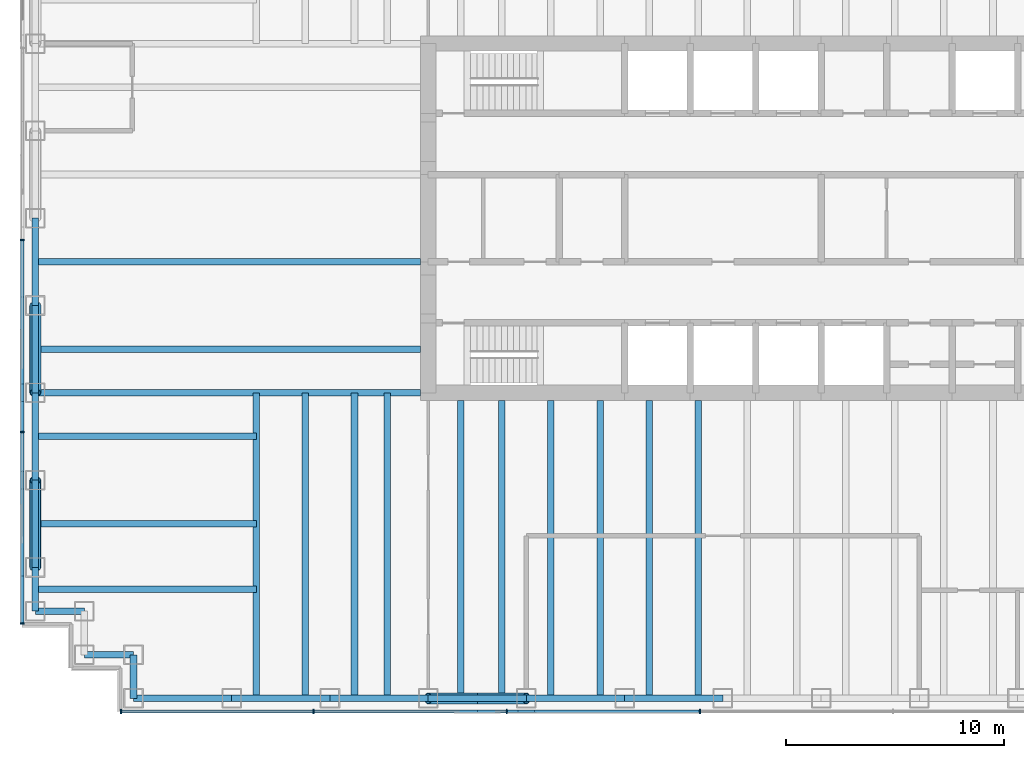
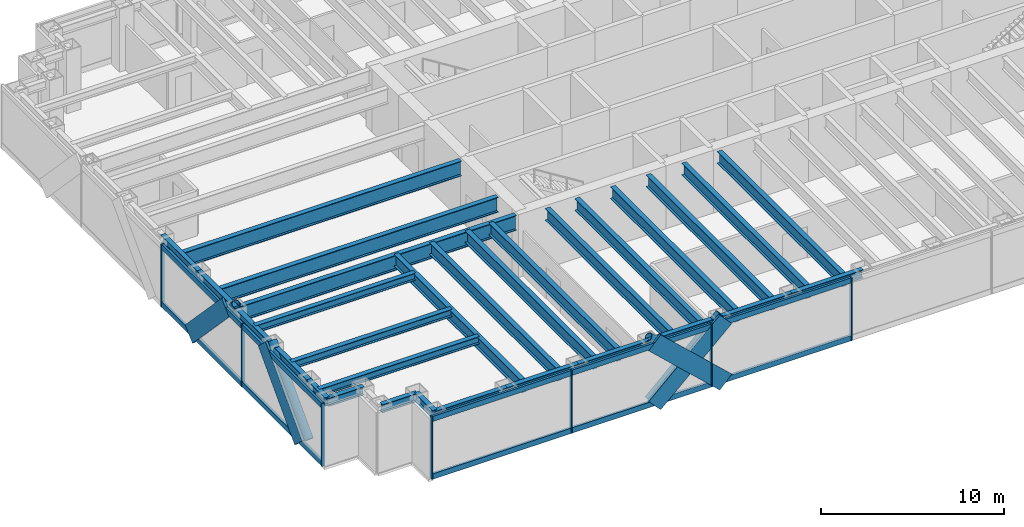
# One storey, part 2 of 17: 30 beams, 25 members, 2 elements without a shape of their own.
"""IFC4 building model written with IfcOpenShell, lengths in metres."""

from ifc_helpers import new_model, si_unit, direction, frame, origin, origin_2d, place, context, subcontext, project, spatial, rectangle, hollow_circle, i_section, extrude, material, material_profile, profile_set, type_object, element, aggregate, save


model = new_model("IFC4")

# Units and contexts
model_context = context("Model", 3, precision=1e-05, world=origin(), true_north=direction((0.0, 1.0)))
body_context = subcontext(model_context, "Body", "Model", "MODEL_VIEW")
ifc_project = project(units=[si_unit("LENGTHUNIT", "METRE"), si_unit("AREAUNIT", "SQUARE_METRE"), si_unit("VOLUMEUNIT", "CUBIC_METRE"), si_unit("PLANEANGLEUNIT", "RADIAN"), si_unit("MASSUNIT", "GRAM", prefix="KILO")], contexts=[model_context])

# Site, building, storey
site_placement = place(None, origin())
site = spatial("IfcSite", under=ifc_project, at=site_placement, CompositionType="ELEMENT")
building_placement = place(site_placement, origin())
building = spatial("IfcBuilding", under=site, at=building_placement, Name="Rheinbord Bourse Tower", CompositionType="ELEMENT")
storey_placement = place(building_placement, frame((0.0, 0.0, 317.300048828125)))
storey = spatial("IfcBuildingStorey", under=building, at=storey_placement, Name="L72", CompositionType="ELEMENT", Elevation=317.300048828125)

# Curtain wall, members
ifc_material_1 = material(Name="Dark glass and black aluminium", Category="aluminium")
curtain_wall_type = type_object("IfcCurtainWallType", Name="CW3 DARK GLASS CURTAIN WALL", PredefinedType="USERDEFINED", material=ifc_material_1)
curtain_wall_1_placement = place(storey_placement, origin())
curtain_wall_1 = element("IfcCurtainWall", 1, at=curtain_wall_1_placement, inside=storey, type_object=curtain_wall_type, Name="Curtain wall CW3 S L72", ObjectType="UNITISED CURTAIN WALL", PredefinedType="USERDEFINED")
ifc_material_2 = material(Name="Black anodised aluminium", Category="aluminium")
ifc_material_profile_1 = material_profile(ifc_material_2, rectangle(XDim=0.14990234375, YDim=1.10791015625, at=origin_2d()), Name="CW3 DIAGONAL MULLION 1108x150")
ifc_profile_set_1 = profile_set([ifc_material_profile_1], Name="Black anodised aluminium")
member_type_1 = type_object("IfcMemberType", Name="CW3 BLACK DIAGONAL MULLION", PredefinedType="USERDEFINED", material=ifc_profile_set_1)
member_1_placement = place(storey_placement, frame((18.0, 1.39990234375, 0.0), z_axis=(0.73105922506, 0.0, 0.682314010889), x_axis=(0.0, 1.0, 0.0)))
member_1 = element("IfcMember", 2, at=member_1_placement, type_object=member_type_1, Name="CW3 diagonal mullion b", ObjectType="DIAGONAL MULLION", PredefinedType="USERDEFINED", context=body_context, shape_type="SweptSolid", body=[
    extrude(rectangle(XDim=0.14990234375, YDim=1.10791015625, at=origin_2d()), origin(), (0.0, 0.0, 1.0), 6.155517578125),
])
member_2_placement = place(storey_placement, frame((22.5, 1.39990234375, 0.0), z_axis=(-0.73105922506, 0.0, 0.682314010889), x_axis=(0.0, -1.0, 0.0)))
member_2 = element("IfcMember", 3, at=member_2_placement, type_object=member_type_1, Name="CW3 diagonal mullion c", ObjectType="DIAGONAL MULLION", PredefinedType="USERDEFINED", context=body_context, shape_type="SweptSolid", body=[
    extrude(rectangle(XDim=0.14990234375, YDim=1.10791015625, at=origin_2d()), origin(), (0.0, 0.0, 1.0), 6.155517578125),
])

curtain_wall_2_placement = place(storey_placement, origin())
curtain_wall_2 = element("IfcCurtainWall", 4, at=curtain_wall_2_placement, inside=storey, type_object=curtain_wall_type, Name="Curtain wall CW3 W L72", ObjectType="UNITISED CURTAIN WALL", PredefinedType="USERDEFINED")
member_3_placement = place(storey_placement, frame((-0.60009765625, 8.0, 0.0), z_axis=(0.0, 0.689659376744, 0.724133926887), x_axis=(-1.0, 0.0, 0.0)))
member_3 = element("IfcMember", 5, at=member_3_placement, type_object=member_type_1, Name="CW3 diagonal mullion a", ObjectType="DIAGONAL MULLION", PredefinedType="USERDEFINED", context=body_context, shape_type="SweptSolid", body=[
    extrude(rectangle(XDim=0.14990234375, YDim=1.10791015625, at=origin_2d()), origin(), (0.0, 0.0, 1.0), 5.800048828125),
])
member_4_placement = place(storey_placement, frame((-0.60009765625, 20.0, 0.0), z_axis=(0.0, -0.689659376744, 0.724133926887), x_axis=(1.0, 0.0, 0.0)))
member_4 = element("IfcMember", 6, at=member_4_placement, type_object=member_type_1, Name="CW3 diagonal mullion d", ObjectType="DIAGONAL MULLION", PredefinedType="USERDEFINED", context=body_context, shape_type="SweptSolid", body=[
    extrude(rectangle(XDim=0.14990234375, YDim=1.10791015625, at=origin_2d()), origin(), (0.0, 0.0, 1.0), 5.800048828125),
])

# Member
ifc_material_3 = material(Name="Black anodised aluminium", Category="aluminium")
ifc_material_profile_2 = material_profile(ifc_material_3, rectangle(XDim=0.199951171875, YDim=0.06494140625, at=origin_2d()), Name="CW3 MULLION 65x200")
ifc_profile_set_2 = profile_set([ifc_material_profile_2], Name="Black anodised aluminium")
member_type_2 = type_object("IfcMemberType", Name="CW3 BLACK MULLION", PredefinedType="MULLION", material=ifc_profile_set_2)
member_5_placement = place(storey_placement, frame((3.9326171875, 1.39990234375, 0.0), z_axis=(0.0, 0.0, 1.0), x_axis=(0.0, 1.0, 0.0)))
member_5 = element("IfcMember", 7, at=member_5_placement, type_object=member_type_2, Name="CW3 mullion 1", PredefinedType="MULLION", context=body_context, shape_type="SweptSolid", body=[
    extrude(rectangle(XDim=0.199951171875, YDim=0.06494140625, at=origin_2d()), origin(), (0.0, 0.0, 1.0), 4.199951171875),
])

member_6_placement = place(storey_placement, frame((12.75, 1.39990234375, 0.0), z_axis=(0.0, 0.0, 1.0), x_axis=(0.0, 1.0, 0.0)))
member_6 = element("IfcMember", 8, at=member_6_placement, type_object=member_type_2, Name="CW3 mullion 2", PredefinedType="MULLION", context=body_context, shape_type="SweptSolid", body=[
    extrude(rectangle(XDim=0.199951171875, YDim=0.06494140625, at=origin_2d()), origin(), (0.0, 0.0, 1.0), 4.199951171875),
])

member_7_placement = place(storey_placement, frame((21.60009765625, 1.39990234375, 0.0), z_axis=(0.0, 0.0, 1.0), x_axis=(0.0, 1.0, 0.0)))
member_7 = element("IfcMember", 9, at=member_7_placement, type_object=member_type_2, Name="CW3 mullion 3", PredefinedType="MULLION", context=body_context, shape_type="SweptSolid", body=[
    extrude(rectangle(XDim=0.199951171875, YDim=0.06494140625, at=origin_2d()), origin(), (0.0, 0.0, 1.0), 4.199951171875),
])

member_8_placement = place(storey_placement, frame((30.449951171875, 1.39990234375, 0.0), z_axis=(0.0, 0.0, 1.0), x_axis=(0.0, 1.0, 0.0)))
member_8 = element("IfcMember", 10, at=member_8_placement, type_object=member_type_2, Name="CW3 mullion 4", PredefinedType="MULLION", context=body_context, shape_type="SweptSolid", body=[
    extrude(rectangle(XDim=0.199951171875, YDim=0.06494140625, at=origin_2d()), origin(), (0.0, 0.0, 1.0), 4.199951171875),
])

member_9_placement = place(storey_placement, frame((-0.60009765625, 23.0, 0.0), z_axis=(0.0, 0.0, 1.0), x_axis=(1.0, 0.0, 0.0)))
member_9 = element("IfcMember", 11, at=member_9_placement, type_object=member_type_2, Name="CW3 mullion 3", PredefinedType="MULLION", context=body_context, shape_type="SweptSolid", body=[
    extrude(rectangle(XDim=0.199951171875, YDim=0.06494140625, at=origin_2d()), origin(), (0.0, 0.0, 1.0), 4.199951171875),
])

member_10_placement = place(storey_placement, frame((-0.60009765625, 14.199951171875, 0.0), z_axis=(0.0, 0.0, 1.0), x_axis=(1.0, 0.0, 0.0)))
member_10 = element("IfcMember", 12, at=member_10_placement, type_object=member_type_2, Name="CW3 mullion 4", PredefinedType="MULLION", context=body_context, shape_type="SweptSolid", body=[
    extrude(rectangle(XDim=0.199951171875, YDim=0.06494140625, at=origin_2d()), origin(), (0.0, 0.0, 1.0), 4.199951171875),
])

member_11_placement = place(storey_placement, frame((-0.60009765625, 5.4326171875, 0.0), z_axis=(0.0, 0.0, 1.0), x_axis=(1.0, 0.0, 0.0)))
member_11 = element("IfcMember", 13, at=member_11_placement, type_object=member_type_2, Name="CW3 mullion 5", PredefinedType="MULLION", context=body_context, shape_type="SweptSolid", body=[
    extrude(rectangle(XDim=0.199951171875, YDim=0.06494140625, at=origin_2d()), origin(), (0.0, 0.0, 1.0), 4.199951171875),
])

ifc_material_4 = material(Name="Black anodised aluminium", Category="aluminium")
ifc_material_profile_3 = material_profile(ifc_material_4, rectangle(XDim=0.14990234375, YDim=0.35009765625, at=origin_2d()), Name="CW3 TRANSOM 350x150")
ifc_profile_set_3 = profile_set([ifc_material_profile_3], Name="Black anodised aluminium")
member_type_3 = type_object("IfcMemberType", Name="CW3 BLACK TRANSOM", PredefinedType="USERDEFINED", material=ifc_profile_set_3)
member_12_placement = place(storey_placement, frame((3.965087890625, 1.39990234375, 0.175048828125), z_axis=(1.0, 0.0, 0.0), x_axis=(0.0, 1.0, 0.0)))
member_12 = element("IfcMember", 14, at=member_12_placement, type_object=member_type_3, Name="CW3 transom 1.1", ObjectType="TRANSOM", PredefinedType="USERDEFINED", context=body_context, shape_type="SweptSolid", body=[
    extrude(rectangle(XDim=0.14990234375, YDim=0.35009765625, at=origin_2d()), origin(), (0.0, 0.0, 1.0), 8.75244140625),
])

member_13_placement = place(storey_placement, frame((3.965087890625, 1.39990234375, 4.02490234375), z_axis=(1.0, 0.0, 0.0), x_axis=(0.0, 1.0, 0.0)))
member_13 = element("IfcMember", 15, at=member_13_placement, type_object=member_type_3, Name="CW3 transom 1.2", ObjectType="TRANSOM", PredefinedType="USERDEFINED", context=body_context, shape_type="SweptSolid", body=[
    extrude(rectangle(XDim=0.14990234375, YDim=0.35009765625, at=origin_2d()), origin(), (0.0, 0.0, 1.0), 8.75244140625),
])

member_14_placement = place(storey_placement, frame((12.782470703125, 1.39990234375, 0.175048828125), z_axis=(1.0, 0.0, 0.0), x_axis=(0.0, 1.0, 0.0)))
member_14 = element("IfcMember", 16, at=member_14_placement, type_object=member_type_3, Name="CW3 transom 2.1", ObjectType="TRANSOM", PredefinedType="USERDEFINED", context=body_context, shape_type="SweptSolid", body=[
    extrude(rectangle(XDim=0.14990234375, YDim=0.35009765625, at=origin_2d()), origin(), (0.0, 0.0, 1.0), 8.784912109375),
])

member_15_placement = place(storey_placement, frame((12.782470703125, 1.39990234375, 4.02490234375), z_axis=(1.0, 0.0, 0.0), x_axis=(0.0, 1.0, 0.0)))
member_15 = element("IfcMember", 17, at=member_15_placement, type_object=member_type_3, Name="CW3 transom 2.2", ObjectType="TRANSOM", PredefinedType="USERDEFINED", context=body_context, shape_type="SweptSolid", body=[
    extrude(rectangle(XDim=0.14990234375, YDim=0.35009765625, at=origin_2d()), origin(), (0.0, 0.0, 1.0), 8.784912109375),
])

member_16_placement = place(storey_placement, frame((21.632568359375, 1.39990234375, 0.175048828125), z_axis=(1.0, 0.0, 0.0), x_axis=(0.0, 1.0, 0.0)))
member_16 = element("IfcMember", 18, at=member_16_placement, type_object=member_type_3, Name="CW3 transom 3.1", ObjectType="TRANSOM", PredefinedType="USERDEFINED", context=body_context, shape_type="SweptSolid", body=[
    extrude(rectangle(XDim=0.14990234375, YDim=0.35009765625, at=origin_2d()), origin(), (0.0, 0.0, 1.0), 8.784912109375),
])

member_17_placement = place(storey_placement, frame((21.632568359375, 1.39990234375, 4.02490234375), z_axis=(1.0, 0.0, 0.0), x_axis=(0.0, 1.0, 0.0)))
member_17 = element("IfcMember", 19, at=member_17_placement, type_object=member_type_3, Name="CW3 transom 3.2", ObjectType="TRANSOM", PredefinedType="USERDEFINED", context=body_context, shape_type="SweptSolid", body=[
    extrude(rectangle(XDim=0.14990234375, YDim=0.35009765625, at=origin_2d()), origin(), (0.0, 0.0, 1.0), 8.784912109375),
])

aggregate(curtain_wall_1, [member_5, member_6, member_7, member_8, member_12, member_13, member_14, member_15, member_16, member_17, member_1, member_2])

member_18_placement = place(storey_placement, frame((-0.60009765625, 22.967529296875, 0.175048828125), z_axis=(0.0, -1.0, 0.0), x_axis=(1.0, 0.0, 0.0)))
member_18 = element("IfcMember", 20, at=member_18_placement, type_object=member_type_3, Name="CW3 transom 3.1", ObjectType="TRANSOM", PredefinedType="USERDEFINED", context=body_context, shape_type="SweptSolid", body=[
    extrude(rectangle(XDim=0.14990234375, YDim=0.35009765625, at=origin_2d()), origin(), (0.0, 0.0, 1.0), 8.735107421875),
])

member_19_placement = place(storey_placement, frame((-0.60009765625, 22.967529296875, 4.02490234375), z_axis=(0.0, -1.0, 0.0), x_axis=(1.0, 0.0, 0.0)))
member_19 = element("IfcMember", 21, at=member_19_placement, type_object=member_type_3, Name="CW3 transom 3.2", ObjectType="TRANSOM", PredefinedType="USERDEFINED", context=body_context, shape_type="SweptSolid", body=[
    extrude(rectangle(XDim=0.14990234375, YDim=0.35009765625, at=origin_2d()), origin(), (0.0, 0.0, 1.0), 8.735107421875),
])

member_20_placement = place(storey_placement, frame((-0.60009765625, 14.16748046875, 0.175048828125), z_axis=(0.0, -1.0, 0.0), x_axis=(1.0, 0.0, 0.0)))
member_20 = element("IfcMember", 22, at=member_20_placement, type_object=member_type_3, Name="CW3 transom 4.1", ObjectType="TRANSOM", PredefinedType="USERDEFINED", context=body_context, shape_type="SweptSolid", body=[
    extrude(rectangle(XDim=0.14990234375, YDim=0.35009765625, at=origin_2d()), origin(), (0.0, 0.0, 1.0), 8.702392578125),
])

member_21_placement = place(storey_placement, frame((-0.60009765625, 14.16748046875, 4.02490234375), z_axis=(0.0, -1.0, 0.0), x_axis=(1.0, 0.0, 0.0)))
member_21 = element("IfcMember", 23, at=member_21_placement, type_object=member_type_3, Name="CW3 transom 4.2", ObjectType="TRANSOM", PredefinedType="USERDEFINED", context=body_context, shape_type="SweptSolid", body=[
    extrude(rectangle(XDim=0.14990234375, YDim=0.35009765625, at=origin_2d()), origin(), (0.0, 0.0, 1.0), 8.702392578125),
])

aggregate(curtain_wall_2, [member_9, member_10, member_11, member_18, member_19, member_20, member_21, member_3, member_4])

# Beams
ifc_material_5 = material(Name="Steel S460", Category="steel")
ifc_material_profile_4 = material_profile(ifc_material_5, i_section(OverallWidth=0.302001953125, OverallDepth=1.008056640625, WebThickness=0.02099609375, FlangeThickness=0.0400390625, at=origin_2d()), Name="HEM 1000")
ifc_profile_set_4 = profile_set([ifc_material_profile_4], Name="Steel S460")
beam_type_1 = type_object("IfcBeamType", Name="END BEAM HEM 1000", PredefinedType="BEAM", material=ifc_profile_set_4)
for number, where, z_axis, x_axis, name in (
    (24, (0.0, 18.0, 3.535888671875), (1.0, 0.0, 0.0), (0.0, 1.0, 0.0), "End beam west 18 L73"),
    (25, (0.0, 22.0, 3.535888671875), (1.0, 0.0, 0.0), (0.0, 1.0, 0.0), "End beam west 22 L73"),
):
    element("IfcBeam", number, at=place(storey_placement, frame(where, z_axis=z_axis, x_axis=x_axis)), inside=storey, type_object=beam_type_1, Name=name, PredefinedType="BEAM", context=body_context, shape_type="SweptSolid", body=[
        extrude(i_section(OverallWidth=0.302001953125, OverallDepth=1.008056640625, WebThickness=0.02099609375, FlangeThickness=0.0400390625, at=origin_2d()), origin(), (0.0, 0.0, 1.0), 17.64990234375),
    ])
ifc_material_6 = material(Name="Steel S460", Category="steel")
ifc_material_profile_5 = material_profile(ifc_material_6, i_section(OverallWidth=0.300048828125, OverallDepth=0.800048828125, WebThickness=0.017578125, FlangeThickness=0.032958984375, at=origin_2d()), Name="HEB 800")
ifc_profile_set_5 = profile_set([ifc_material_profile_5], Name="Steel S460")
beam_type_2 = type_object("IfcBeamType", Name="FLOOR BEAM HEB 800", PredefinedType="BEAM", material=ifc_profile_set_5)
for number, where, z_axis, x_axis, name in (
    (26, (10.125, 2.0, 3.639892578125), (0.0, 1.0, 0.0), (-1.0, 0.0, 0.0), "Floor beam S-9a L73"),
    (27, (12.375, 2.0, 3.639892578125), (0.0, 1.0, 0.0), (-1.0, 0.0, 0.0), "Floor beam S-9b L73"),
    (28, (14.625, 2.0, 3.639892578125), (0.0, 1.0, 0.0), (-1.0, 0.0, 0.0), "Floor beam S-13.5a L73"),
    (29, (16.125, 2.0, 3.639892578125), (0.0, 1.0, 0.0), (-1.0, 0.0, 0.0), "Floor beam S-13.5b L73"),
):
    element("IfcBeam", number, at=place(storey_placement, frame(where, z_axis=z_axis, x_axis=x_axis)), inside=storey, type_object=beam_type_2, Name=name, PredefinedType="BEAM", context=body_context, shape_type="SweptSolid", body=[
        extrude(i_section(OverallWidth=0.300048828125, OverallDepth=0.800048828125, WebThickness=0.017578125, FlangeThickness=0.032958984375, at=origin_2d()), origin(), (0.0, 0.0, 1.0), 14.0),
    ])
for number, where, z_axis, x_axis, name in (
    (30, (19.5, 2.0, 3.639892578125), (0.0, 1.0, 0.0), (-1.0, 0.0, 0.0), "Floor beam S-18a L73"),
    (31, (21.375, 2.0, 3.639892578125), (0.0, 1.0, 0.0), (-1.0, 0.0, 0.0), "Floor beam S-18b L73"),
    (32, (23.625, 2.0, 3.639892578125), (0.0, 1.0, 0.0), (-1.0, 0.0, 0.0), "Floor beam S-22.5a L73"),
    (33, (25.875, 2.0, 3.639892578125), (0.0, 1.0, 0.0), (-1.0, 0.0, 0.0), "Floor beam S-22.5b L73"),
    (34, (28.125, 2.0, 3.639892578125), (0.0, 1.0, 0.0), (-1.0, 0.0, 0.0), "Floor beam S-27a L73"),
    (35, (30.375, 2.0, 3.639892578125), (0.0, 1.0, 0.0), (-1.0, 0.0, 0.0), "Floor beam S-27b L73"),
):
    element("IfcBeam", number, at=place(storey_placement, frame(where, z_axis=z_axis, x_axis=x_axis)), inside=storey, type_object=beam_type_2, Name=name, PredefinedType="BEAM", context=body_context, shape_type="SweptSolid", body=[
        extrude(i_section(OverallWidth=0.300048828125, OverallDepth=0.800048828125, WebThickness=0.017578125, FlangeThickness=0.032958984375, at=origin_2d()), origin(), (0.0, 0.0, 1.0), 13.64990234375),
    ])
ifc_material_7 = material(Name="Steel S460", Category="steel")
ifc_material_profile_6 = material_profile(ifc_material_7, i_section(OverallWidth=0.302001953125, OverallDepth=1.008056640625, WebThickness=0.02099609375, FlangeThickness=0.0400390625, at=origin_2d()), Name="HEM 1000")
ifc_profile_set_6 = profile_set([ifc_material_profile_6], Name="Steel S460")
beam_type_3 = type_object("IfcBeamType", Name="GIRDER HEM 1000", PredefinedType="BEAM", material=ifc_profile_set_6)
beam_1_placement = place(storey_placement, frame((0.0, 16.0, 3.535888671875), z_axis=(1.0, 0.0, 0.0), x_axis=(0.0, 1.0, 0.0)))
element("IfcBeam", 36, at=beam_1_placement, inside=storey, type_object=beam_type_3, Name="Girder west 16 L73", PredefinedType="BEAM", context=body_context, shape_type="SweptSolid", body=[
    extrude(i_section(OverallWidth=0.302001953125, OverallDepth=1.008056640625, WebThickness=0.02099609375, FlangeThickness=0.0400390625, at=origin_2d()), origin(), (0.0, 0.0, 1.0), 17.64990234375),
])

# Members
ifc_material_8 = material(Name="Steel S460", Category="steel")
ifc_material_profile_7 = material_profile(ifc_material_8, hollow_circle(Radius=0.25390625, WallThickness=0.030029296875, at=origin_2d()), Name="CHS 508x30")
ifc_profile_set_7 = profile_set([ifc_material_profile_7], Name="Steel S460")
member_type_4 = type_object("IfcMemberType", Name="MEGABRACE CHS 508x30", PredefinedType="BRACE", material=ifc_profile_set_7)
for number, where, z_axis, x_axis, name in (
    (37, (18.0, 2.0, 0.0), (0.73105922506, 0.0, 0.682314010889), (0.0, 1.0, 0.0), "Megabrace S face line b L72"),
    (38, (22.5, 2.0, 0.0), (-0.73105922506, 0.0, 0.682314010889), (0.0, -1.0, 0.0), "Megabrace S face line c L72"),
):
    element("IfcMember", number, at=place(storey_placement, frame(where, z_axis=z_axis, x_axis=x_axis)), inside=storey, type_object=member_type_4, Name=name, PredefinedType="BRACE", context=body_context, shape_type="SweptSolid", body=[
        extrude(hollow_circle(Radius=0.25390625, WallThickness=0.030029296875, at=origin_2d()), origin(), (0.0, 0.0, 1.0), 6.155517578125),
    ])
for number, where, z_axis, x_axis, name in (
    (39, (0.0, 8.0, 0.0), (0.0, 0.689659376744, 0.724133926887), (-1.0, 0.0, 0.0), "Megabrace W face line a L72"),
    (40, (0.0, 20.0, 0.0), (0.0, -0.689659376744, 0.724133926887), (1.0, 0.0, 0.0), "Megabrace W face line d L72"),
):
    element("IfcMember", number, at=place(storey_placement, frame(where, z_axis=z_axis, x_axis=x_axis)), inside=storey, type_object=member_type_4, Name=name, PredefinedType="BRACE", context=body_context, shape_type="SweptSolid", body=[
        extrude(hollow_circle(Radius=0.25390625, WallThickness=0.030029296875, at=origin_2d()), origin(), (0.0, 0.0, 1.0), 5.800048828125),
    ])

# Beams
ifc_material_9 = material(Name="Steel S460", Category="steel")
ifc_material_profile_8 = material_profile(ifc_material_9, i_section(OverallWidth=0.300048828125, OverallDepth=0.550048828125, WebThickness=0.014892578125, FlangeThickness=0.029052734375, at=origin_2d()), Name="HEB 550")
ifc_profile_set_8 = profile_set([ifc_material_profile_8], Name="Steel S460")
beam_type_4 = type_object("IfcBeamType", Name="SPANDREL HEB 550", PredefinedType="SPANDREL", material=ifc_profile_set_8)
for number, where, z_axis, x_axis, name in (
    (41, (4.5, 2.0, 3.764892578125), (1.0, 0.0, 0.0), (0.0, 1.0, 0.0), "Spandrel SW-E-S-9 under L73"),
    (42, (9.0, 2.0, 3.764892578125), (1.0, 0.0, 0.0), (0.0, 1.0, 0.0), "Spandrel S-9-S-13.5 under L73"),
    (43, (13.5, 2.0, 3.764892578125), (1.0, 0.0, 0.0), (0.0, 1.0, 0.0), "Spandrel S-13.5-S-18 under L73"),
    (44, (18.0, 2.0, 3.764892578125), (1.0, 0.0, 0.0), (0.0, 1.0, 0.0), "Spandrel S-18-S-22.5 under L73"),
    (45, (22.5, 2.0, 3.764892578125), (1.0, 0.0, 0.0), (0.0, 1.0, 0.0), "Spandrel S-22.5-S-27 under L73"),
    (46, (27.0, 2.0, 3.764892578125), (1.0, 0.0, 0.0), (0.0, 1.0, 0.0), "Spandrel S-27-S-31.5 under L73"),
):
    element("IfcBeam", number, at=place(storey_placement, frame(where, z_axis=z_axis, x_axis=x_axis)), inside=storey, type_object=beam_type_4, Name=name, PredefinedType="SPANDREL", context=body_context, shape_type="SweptSolid", body=[
        extrude(i_section(OverallWidth=0.300048828125, OverallDepth=0.550048828125, WebThickness=0.014892578125, FlangeThickness=0.029052734375, at=origin_2d()), origin(), (0.0, 0.0, 1.0), 4.5),
    ])
for number, where, z_axis, x_axis, name in (
    (47, (0.0, 24.0, 3.764892578125), (0.0, -1.0, 0.0), (1.0, 0.0, 0.0), "Spandrel W-24-W-20 under L73"),
    (48, (0.0, 20.0, 3.764892578125), (0.0, -1.0, 0.0), (1.0, 0.0, 0.0), "Spandrel W-20-W-16 under L73"),
    (49, (0.0, 16.0, 3.764892578125), (0.0, -1.0, 0.0), (1.0, 0.0, 0.0), "Spandrel W-16-W-12 under L73"),
    (50, (0.0, 12.0, 3.764892578125), (0.0, -1.0, 0.0), (1.0, 0.0, 0.0), "Spandrel W-12-W-8 under L73"),
):
    element("IfcBeam", number, at=place(storey_placement, frame(where, z_axis=z_axis, x_axis=x_axis)), inside=storey, type_object=beam_type_4, Name=name, PredefinedType="SPANDREL", context=body_context, shape_type="SweptSolid", body=[
        extrude(i_section(OverallWidth=0.300048828125, OverallDepth=0.550048828125, WebThickness=0.014892578125, FlangeThickness=0.029052734375, at=origin_2d()), origin(), (0.0, 0.0, 1.0), 4.0),
    ])
beam_2_placement = place(storey_placement, frame((0.0, 8.0, 3.764892578125), z_axis=(0.0, -1.0, 0.0), x_axis=(1.0, 0.0, 0.0)))
element("IfcBeam", 51, at=beam_2_placement, inside=storey, type_object=beam_type_4, Name="Spandrel W-8-SW-A under L73", PredefinedType="SPANDREL", context=body_context, shape_type="SweptSolid", body=[
    extrude(i_section(OverallWidth=0.300048828125, OverallDepth=0.550048828125, WebThickness=0.014892578125, FlangeThickness=0.029052734375, at=origin_2d()), origin(), (0.0, 0.0, 1.0), 2.0),
])
for number, where, z_axis, x_axis, name in (
    (52, (0.0, 6.0, 3.764892578125), (1.0, 0.0, 0.0), (0.0, 1.0, 0.0), "Spandrel SW-A-SW-B under L73"),
    (53, (2.25, 4.0, 3.764892578125), (1.0, 0.0, 0.0), (0.0, 1.0, 0.0), "Spandrel SW-C-SW-D under L73"),
):
    element("IfcBeam", number, at=place(storey_placement, frame(where, z_axis=z_axis, x_axis=x_axis)), inside=storey, type_object=beam_type_4, Name=name, PredefinedType="SPANDREL", context=body_context, shape_type="SweptSolid", body=[
        extrude(i_section(OverallWidth=0.300048828125, OverallDepth=0.550048828125, WebThickness=0.014892578125, FlangeThickness=0.029052734375, at=origin_2d()), origin(), (0.0, 0.0, 1.0), 2.25),
    ])
beam_3_placement = place(storey_placement, frame((4.5, 4.0, 3.764892578125), z_axis=(0.0, -1.0, 0.0), x_axis=(1.0, 0.0, 0.0)))
element("IfcBeam", 54, at=beam_3_placement, inside=storey, type_object=beam_type_4, Name="Spandrel SW-D-SW-E under L73", PredefinedType="SPANDREL", context=body_context, shape_type="SweptSolid", body=[
    extrude(i_section(OverallWidth=0.300048828125, OverallDepth=0.550048828125, WebThickness=0.014892578125, FlangeThickness=0.029052734375, at=origin_2d()), origin(), (0.0, 0.0, 1.0), 2.0),
])
ifc_material_10 = material(Name="Steel S460", Category="steel")
ifc_material_profile_9 = material_profile(ifc_material_10, i_section(OverallWidth=0.300048828125, OverallDepth=0.5, WebThickness=0.014404296875, FlangeThickness=0.028076171875, at=origin_2d()), Name="HEB 500")
ifc_profile_set_9 = profile_set([ifc_material_profile_9], Name="Steel S460")
beam_type_5 = type_object("IfcBeamType", Name="TIE BEAM HEB 500", PredefinedType="JOIST", material=ifc_profile_set_9)
for number, where, z_axis, x_axis, name in (
    (55, (0.0, 7.0, 3.7900390625), (1.0, 0.0, 0.0), (0.0, 1.0, 0.0), "Tie west 7 L73"),
    (56, (0.0, 10.0, 3.7900390625), (1.0, 0.0, 0.0), (0.0, 1.0, 0.0), "Tie west 10 L73"),
    (57, (0.0, 14.0, 3.7900390625), (1.0, 0.0, 0.0), (0.0, 1.0, 0.0), "Tie west 14 L73"),
):
    element("IfcBeam", number, at=place(storey_placement, frame(where, z_axis=z_axis, x_axis=x_axis)), inside=storey, type_object=beam_type_5, Name=name, PredefinedType="JOIST", context=body_context, shape_type="SweptSolid", body=[
        extrude(i_section(OverallWidth=0.300048828125, OverallDepth=0.5, WebThickness=0.014404296875, FlangeThickness=0.028076171875, at=origin_2d()), origin(), (0.0, 0.0, 1.0), 10.125),
    ])

save(model, "model.ifc")
